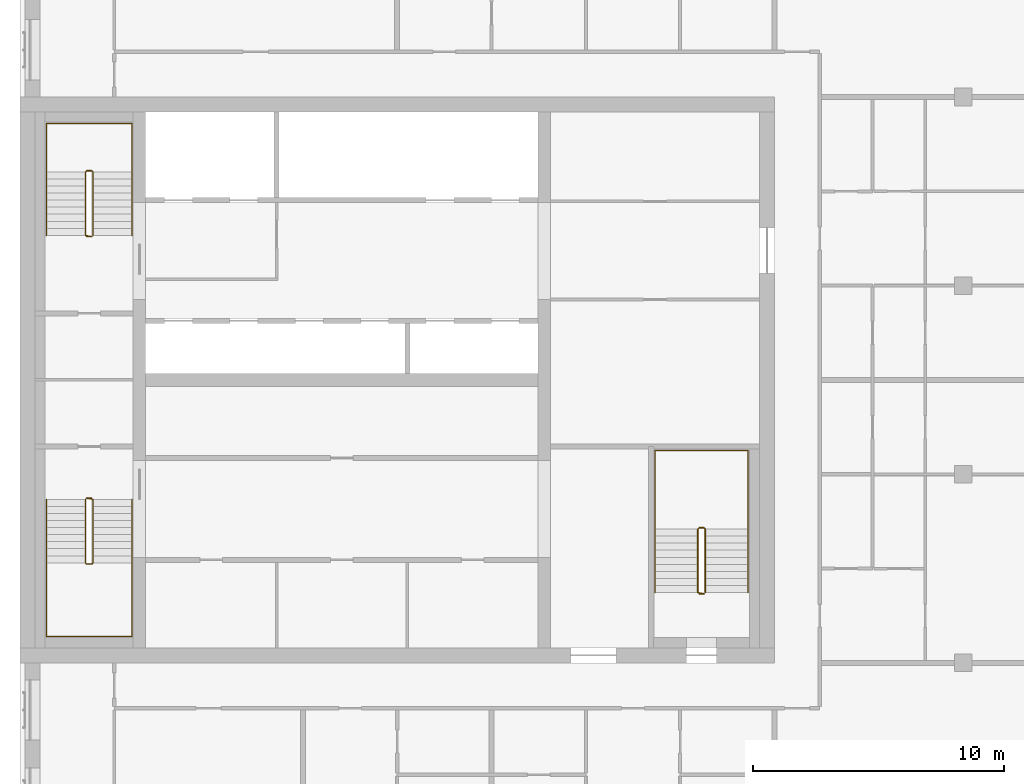
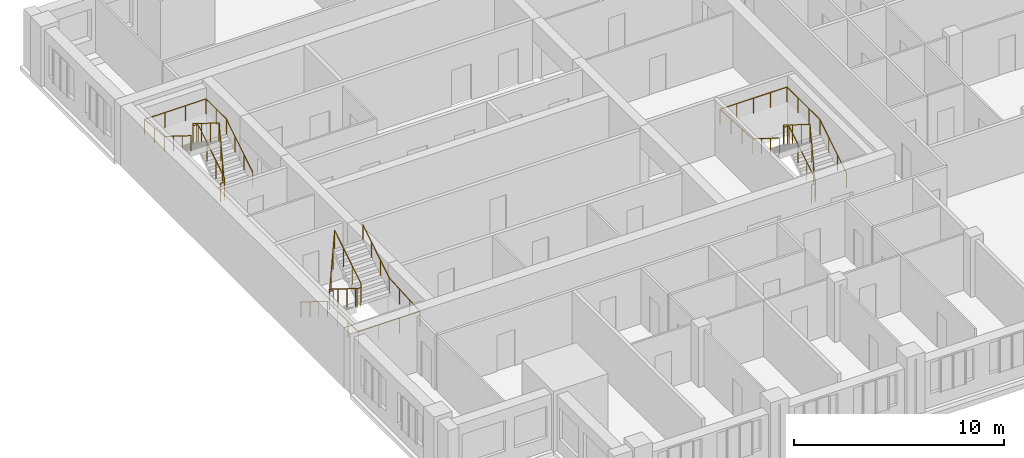
# One storey, part 10 of 10: 6 railings.
"""IFC4 building model written with IfcOpenShell, lengths in metres."""

from ifc_helpers import new_model, si_unit, direction, frame, origin, origin_2d, place, context, subcontext, project, spatial, circle, extrude, material, type_object, element, save


model = new_model("IFC4")

# Units and contexts
model_context = context("Model", 3, precision=1e-05, world=origin(), true_north=direction((0.0, 1.0)))
body_context = subcontext(model_context, "Body", "Model", "MODEL_VIEW")
ifc_project = project(units=[si_unit("LENGTHUNIT", "METRE"), si_unit("AREAUNIT", "SQUARE_METRE"), si_unit("VOLUMEUNIT", "CUBIC_METRE"), si_unit("PLANEANGLEUNIT", "RADIAN"), si_unit("MASSUNIT", "GRAM", prefix="KILO")], contexts=[model_context])

# Site, building, storey
site_placement = place(None, origin())
site = spatial("IfcSite", under=ifc_project, at=site_placement, CompositionType="ELEMENT")
building_placement = place(site_placement, origin())
building = spatial("IfcBuilding", under=site, at=building_placement, Name="Tamorin Gate", CompositionType="ELEMENT")
storey_placement = place(building_placement, frame((0.0, 0.0, 269.699951171875)))
storey = spatial("IfcBuildingStorey", under=building, at=storey_placement, Name="L67", CompositionType="ELEMENT", Elevation=269.699951171875)

# Railings
ifc_material_1 = material(Name="Painted steel balustrade", Category="steel")
railing_type_1 = type_object("IfcRailingType", Name="Stair guard 1100", PredefinedType="GUARDRAIL", material=ifc_material_1)
railing_1_placement = place(storey_placement, frame((32.60009765625, 66.5, 0.175048828125)))
element("IfcRailing", 1, at=railing_1_placement, inside=storey, type_object=railing_type_1, Name="L67 ST1 stair guard 1", PredefinedType="GUARDRAIL", context=body_context, shape_type="SweptSolid", body=[
    extrude(circle(Radius=0.02392578125, at=origin_2d()), frame((0.0, 0.0, 1.076171875), z_axis=(0.0, -0.848007534815, 0.529984170421), x_axis=(1.0, 0.0, 0.0)), (0.0, 0.0, 1.0), 2.9716796875),
    extrude(circle(Radius=0.02392578125, at=origin_2d()), frame((0.0, -2.52001953125, 2.65087890625), z_axis=(0.705375805398, -0.708833529934, 0.0), x_axis=(0.708833529934, 0.705375805398, 0.0)), (0.0, 0.0, 1.0), 0.070556640625),
    extrude(circle(Radius=0.02392578125, at=origin_2d()), frame((0.0498046875, -2.570068359375, 2.65087890625), z_axis=(1.0, 0.0, 0.0), x_axis=(0.0, 1.0, 0.0)), (0.0, 0.0, 1.0), 0.2001953125),
    extrude(circle(Radius=0.02392578125, at=origin_2d()), frame((0.25, -2.570068359375, 2.65087890625), z_axis=(0.263862480399, 0.265155923931, 0.927399011991), x_axis=(-0.708833529934, 0.705375805398, 0.0)), (0.0, 0.0, 1.0), 0.188720703125),
    extrude(circle(Radius=0.02392578125, at=origin_2d()), frame((0.2998046875, -2.52001953125, 2.826171875), z_axis=(0.0, 0.848007534815, 0.529984170421), x_axis=(-1.0, 0.0, 0.0)), (0.0, 0.0, 1.0), 2.9716796875),
    extrude(circle(Radius=0.02392578125, at=origin_2d()), frame((0.2998046875, 0.0, 4.40087890625), z_axis=(-0.071239803756, 0.014261874775, -0.997357252587), x_axis=(-0.196300278283, -0.98054382908, 0.0)), (0.0, 0.0, 1.0), 3.50927734375),
    extrude(circle(Radius=0.02392578125, at=origin_2d()), frame((0.0498046875, 0.050048828125, 0.90087890625), z_axis=(1.0, 0.0, 0.0), x_axis=(0.0, 1.0, 0.0)), (0.0, 0.0, 1.0), 0.2001953125),
    extrude(circle(Radius=0.02099609375, at=origin_2d()), origin(), (0.0, 0.0, 1.0), 1.052001953125),
    extrude(circle(Radius=0.02099609375, at=origin_2d()), frame((0.0, -0.840087890625, 0.52490234375)), (0.0, 0.0, 1.0), 1.052001953125),
    extrude(circle(Radius=0.02099609375, at=origin_2d()), frame((0.0, -1.679931640625, 1.050048828125)), (0.0, 0.0, 1.0), 1.052001953125),
    extrude(circle(Radius=0.02099609375, at=origin_2d()), frame((0.0, -2.52001953125, 1.574951171875)), (0.0, 0.0, 1.0), 1.052001953125),
    extrude(circle(Radius=0.02099609375, at=origin_2d()), frame((0.0498046875, -2.570068359375, 1.574951171875)), (0.0, 0.0, 1.0), 1.052001953125),
    extrude(circle(Radius=0.02099609375, at=origin_2d()), frame((0.25, -2.570068359375, 1.574951171875)), (0.0, 0.0, 1.0), 1.052001953125),
    extrude(circle(Radius=0.02099609375, at=origin_2d()), frame((0.2998046875, -2.52001953125, 1.75)), (0.0, 0.0, 1.0), 1.052001953125),
    extrude(circle(Radius=0.02099609375, at=origin_2d()), frame((0.2998046875, -1.679931640625, 2.27490234375)), (0.0, 0.0, 1.0), 1.052001953125),
    extrude(circle(Radius=0.02099609375, at=origin_2d()), frame((0.2998046875, -0.840087890625, 2.800048828125)), (0.0, 0.0, 1.0), 1.052001953125),
    extrude(circle(Radius=0.02099609375, at=origin_2d()), frame((0.2998046875, 0.0, 3.324951171875)), (0.0, 0.0, 1.0), 1.052001953125),
    extrude(circle(Radius=0.02099609375, at=origin_2d()), frame((0.216552734375, 0.0166015625, 2.158203125)), (0.0, 0.0, 1.0), 1.052001953125),
    extrude(circle(Radius=0.02099609375, at=origin_2d()), frame((0.133056640625, 0.033447265625, 0.99169921875)), (0.0, 0.0, 1.0), 1.052001953125),
    extrude(circle(Radius=0.02099609375, at=origin_2d()), frame((0.0498046875, 0.050048828125, -0.175048828125)), (0.0, 0.0, 1.0), 1.052001953125),
    extrude(circle(Radius=0.02099609375, at=origin_2d()), frame((0.25, 0.050048828125, -0.175048828125)), (0.0, 0.0, 1.0), 1.052001953125),
])
railing_2_placement = place(storey_placement, frame((32.89990234375, 77.0, 0.175048828125)))
element("IfcRailing", 2, at=railing_2_placement, inside=storey, type_object=railing_type_1, Name="L67 ST2 stair guard 1", PredefinedType="GUARDRAIL", context=body_context, shape_type="SweptSolid", body=[
    extrude(circle(Radius=0.02392578125, at=origin_2d()), frame((0.0, 0.0, 1.076171875), z_axis=(0.0, 0.848007534815, 0.529984170421), x_axis=(-1.0, 0.0, 0.0)), (0.0, 0.0, 1.0), 2.9716796875),
    extrude(circle(Radius=0.02392578125, at=origin_2d()), frame((0.0, 2.52001953125, 2.65087890625), z_axis=(-0.705375805398, 0.708833529934, 0.0), x_axis=(-0.708833529934, -0.705375805398, 0.0)), (0.0, 0.0, 1.0), 0.070556640625),
    extrude(circle(Radius=0.02392578125, at=origin_2d()), frame((-0.0498046875, 2.570068359375, 2.65087890625), z_axis=(-1.0, 0.0, 0.0), x_axis=(0.0, -1.0, 0.0)), (0.0, 0.0, 1.0), 0.2001953125),
    extrude(circle(Radius=0.02392578125, at=origin_2d()), frame((-0.25, 2.570068359375, 2.65087890625), z_axis=(-0.263862480399, -0.265155923931, 0.927399011991), x_axis=(0.708833529934, -0.705375805398, 0.0)), (0.0, 0.0, 1.0), 0.188720703125),
    extrude(circle(Radius=0.02392578125, at=origin_2d()), frame((-0.2998046875, 2.52001953125, 2.826171875), z_axis=(0.0, -0.848007534815, 0.529984170421), x_axis=(1.0, 0.0, 0.0)), (0.0, 0.0, 1.0), 2.9716796875),
    extrude(circle(Radius=0.02392578125, at=origin_2d()), frame((-0.2998046875, 0.0, 4.40087890625), z_axis=(0.071239803756, -0.014261874775, -0.997357252587), x_axis=(0.196300278283, 0.98054382908, 0.0)), (0.0, 0.0, 1.0), 3.50927734375),
    extrude(circle(Radius=0.02392578125, at=origin_2d()), frame((-0.0498046875, -0.050048828125, 0.90087890625), z_axis=(-1.0, 0.0, 0.0), x_axis=(0.0, -1.0, 0.0)), (0.0, 0.0, 1.0), 0.2001953125),
    extrude(circle(Radius=0.02099609375, at=origin_2d()), origin(), (0.0, 0.0, 1.0), 1.052001953125),
    extrude(circle(Radius=0.02099609375, at=origin_2d()), frame((0.0, 0.840087890625, 0.52490234375)), (0.0, 0.0, 1.0), 1.052001953125),
    extrude(circle(Radius=0.02099609375, at=origin_2d()), frame((0.0, 1.679931640625, 1.050048828125)), (0.0, 0.0, 1.0), 1.052001953125),
    extrude(circle(Radius=0.02099609375, at=origin_2d()), frame((0.0, 2.52001953125, 1.574951171875)), (0.0, 0.0, 1.0), 1.052001953125),
    extrude(circle(Radius=0.02099609375, at=origin_2d()), frame((-0.0498046875, 2.570068359375, 1.574951171875)), (0.0, 0.0, 1.0), 1.052001953125),
    extrude(circle(Radius=0.02099609375, at=origin_2d()), frame((-0.25, 2.570068359375, 1.574951171875)), (0.0, 0.0, 1.0), 1.052001953125),
    extrude(circle(Radius=0.02099609375, at=origin_2d()), frame((-0.2998046875, 2.52001953125, 1.75)), (0.0, 0.0, 1.0), 1.052001953125),
    extrude(circle(Radius=0.02099609375, at=origin_2d()), frame((-0.2998046875, 1.679931640625, 2.27490234375)), (0.0, 0.0, 1.0), 1.052001953125),
    extrude(circle(Radius=0.02099609375, at=origin_2d()), frame((-0.2998046875, 0.840087890625, 2.800048828125)), (0.0, 0.0, 1.0), 1.052001953125),
    extrude(circle(Radius=0.02099609375, at=origin_2d()), frame((-0.2998046875, 0.0, 3.324951171875)), (0.0, 0.0, 1.0), 1.052001953125),
    extrude(circle(Radius=0.02099609375, at=origin_2d()), frame((-0.216552734375, -0.0166015625, 2.158203125)), (0.0, 0.0, 1.0), 1.052001953125),
    extrude(circle(Radius=0.02099609375, at=origin_2d()), frame((-0.133056640625, -0.033447265625, 0.99169921875)), (0.0, 0.0, 1.0), 1.052001953125),
    extrude(circle(Radius=0.02099609375, at=origin_2d()), frame((-0.0498046875, -0.050048828125, -0.175048828125)), (0.0, 0.0, 1.0), 1.052001953125),
    extrude(circle(Radius=0.02099609375, at=origin_2d()), frame((-0.25, -0.050048828125, -0.175048828125)), (0.0, 0.0, 1.0), 1.052001953125),
])
railing_3_placement = place(storey_placement, frame((57.25, 62.800048828125, 0.175048828125)))
element("IfcRailing", 3, at=railing_3_placement, inside=storey, type_object=railing_type_1, Name="L67 ST3 stair guard 1", PredefinedType="GUARDRAIL", context=body_context, shape_type="SweptSolid", body=[
    extrude(circle(Radius=0.02392578125, at=origin_2d()), frame((0.0, 0.0, 1.076171875), z_axis=(0.0, 0.848007534815, 0.529984170421), x_axis=(-1.0, 0.0, 0.0)), (0.0, 0.0, 1.0), 2.9716796875),
    extrude(circle(Radius=0.02392578125, at=origin_2d()), frame((0.0, 2.52001953125, 2.65087890625), z_axis=(-0.707106781187, 0.707106781187, 0.0), x_axis=(-0.707106781187, -0.707106781187, 0.0)), (0.0, 0.0, 1.0), 0.07080078125),
    extrude(circle(Radius=0.02392578125, at=origin_2d()), frame((-0.050048828125, 2.570068359375, 2.65087890625), z_axis=(-1.0, 0.0, 0.0), x_axis=(0.0, -1.0, 0.0)), (0.0, 0.0, 1.0), 0.199951171875),
    extrude(circle(Radius=0.02392578125, at=origin_2d()), frame((-0.25, 2.570068359375, 2.65087890625), z_axis=(-0.265065253269, -0.265065253269, 0.927081885822), x_axis=(0.707106781187, -0.707106781187, 0.0)), (0.0, 0.0, 1.0), 0.188720703125),
    extrude(circle(Radius=0.02392578125, at=origin_2d()), frame((-0.300048828125, 2.52001953125, 2.826171875), z_axis=(0.0, -0.848007534815, 0.529984170421), x_axis=(1.0, 0.0, 0.0)), (0.0, 0.0, 1.0), 2.9716796875),
    extrude(circle(Radius=0.02392578125, at=origin_2d()), frame((-0.300048828125, 0.0, 4.40087890625), z_axis=(0.071239803756, -0.014261874775, -0.997357252587), x_axis=(0.196300278283, 0.98054382908, 0.0)), (0.0, 0.0, 1.0), 3.50927734375),
    extrude(circle(Radius=0.02392578125, at=origin_2d()), frame((-0.050048828125, -0.050048828125, 0.90087890625), z_axis=(-1.0, 0.0, 0.0), x_axis=(0.0, -1.0, 0.0)), (0.0, 0.0, 1.0), 0.199951171875),
    extrude(circle(Radius=0.02099609375, at=origin_2d()), origin(), (0.0, 0.0, 1.0), 1.052001953125),
    extrude(circle(Radius=0.02099609375, at=origin_2d()), frame((0.0, 0.840087890625, 0.52490234375)), (0.0, 0.0, 1.0), 1.052001953125),
    extrude(circle(Radius=0.02099609375, at=origin_2d()), frame((0.0, 1.679931640625, 1.050048828125)), (0.0, 0.0, 1.0), 1.052001953125),
    extrude(circle(Radius=0.02099609375, at=origin_2d()), frame((0.0, 2.52001953125, 1.574951171875)), (0.0, 0.0, 1.0), 1.052001953125),
    extrude(circle(Radius=0.02099609375, at=origin_2d()), frame((-0.050048828125, 2.570068359375, 1.574951171875)), (0.0, 0.0, 1.0), 1.052001953125),
    extrude(circle(Radius=0.02099609375, at=origin_2d()), frame((-0.25, 2.570068359375, 1.574951171875)), (0.0, 0.0, 1.0), 1.052001953125),
    extrude(circle(Radius=0.02099609375, at=origin_2d()), frame((-0.300048828125, 2.52001953125, 1.75)), (0.0, 0.0, 1.0), 1.052001953125),
    extrude(circle(Radius=0.02099609375, at=origin_2d()), frame((-0.300048828125, 1.679931640625, 2.27490234375)), (0.0, 0.0, 1.0), 1.052001953125),
    extrude(circle(Radius=0.02099609375, at=origin_2d()), frame((-0.300048828125, 0.840087890625, 2.800048828125)), (0.0, 0.0, 1.0), 1.052001953125),
    extrude(circle(Radius=0.02099609375, at=origin_2d()), frame((-0.300048828125, 0.0, 3.324951171875)), (0.0, 0.0, 1.0), 1.052001953125),
    extrude(circle(Radius=0.02099609375, at=origin_2d()), frame((-0.216796875, -0.0166015625, 2.158203125)), (0.0, 0.0, 1.0), 1.052001953125),
    extrude(circle(Radius=0.02099609375, at=origin_2d()), frame((-0.13330078125, -0.033447265625, 0.99169921875)), (0.0, 0.0, 1.0), 1.052001953125),
    extrude(circle(Radius=0.02099609375, at=origin_2d()), frame((-0.050048828125, -0.050048828125, -0.175048828125)), (0.0, 0.0, 1.0), 1.052001953125),
    extrude(circle(Radius=0.02099609375, at=origin_2d()), frame((-0.25, -0.050048828125, -0.175048828125)), (0.0, 0.0, 1.0), 1.052001953125),
])
ifc_material_2 = material(Name="Painted steel handrail", Category="steel")
railing_type_2 = type_object("IfcRailingType", Name="Stair handrail 900", PredefinedType="HANDRAIL", material=ifc_material_2)
railing_4_placement = place(storey_placement, frame((31.050048828125, 66.5, 0.175048828125)))
element("IfcRailing", 4, at=railing_4_placement, inside=storey, type_object=railing_type_2, Name="L67 ST1 stair handrail 1", PredefinedType="HANDRAIL", context=body_context, shape_type="SweptSolid", body=[
    extrude(circle(Radius=0.02392578125, at=origin_2d()), frame((0.0, 0.0, 0.8759765625), z_axis=(0.0, -0.848007534815, 0.529984170421), x_axis=(1.0, 0.0, 0.0)), (0.0, 0.0, 1.0), 2.9716796875),
    extrude(circle(Radius=0.02392578125, at=origin_2d()), frame((0.0, -2.52001953125, 2.45068359375), z_axis=(0.0, -1.0, 0.0), x_axis=(1.0, 0.0, 0.0)), (0.0, 0.0, 1.0), 2.929931640625),
    extrude(circle(Radius=0.02392578125, at=origin_2d()), frame((0.0, -5.449951171875, 2.45068359375), z_axis=(1.0, 0.0, 0.0), x_axis=(0.0, 1.0, 0.0)), (0.0, 0.0, 1.0), 3.39990234375),
    extrude(circle(Radius=0.02392578125, at=origin_2d()), frame((3.39990234375, -5.449951171875, 2.45068359375), z_axis=(0.0, 0.998220029962, 0.0596386769), x_axis=(-1.0, 0.0, 0.0)), (0.0, 0.0, 1.0), 2.93505859375),
    extrude(circle(Radius=0.02392578125, at=origin_2d()), frame((3.39990234375, -2.52001953125, 2.6259765625), z_axis=(0.0, 0.848007534815, 0.529984170421), x_axis=(-1.0, 0.0, 0.0)), (0.0, 0.0, 1.0), 2.9716796875),
    extrude(circle(Radius=0.02099609375, at=origin_2d()), origin(), (0.0, 0.0, 1.0), 0.851806640625),
    extrude(circle(Radius=0.02099609375, at=origin_2d()), frame((0.0, -0.840087890625, 0.52490234375)), (0.0, 0.0, 1.0), 0.851806640625),
    extrude(circle(Radius=0.02099609375, at=origin_2d()), frame((0.0, -1.679931640625, 1.050048828125)), (0.0, 0.0, 1.0), 0.851806640625),
    extrude(circle(Radius=0.02099609375, at=origin_2d()), frame((0.0, -2.52001953125, 1.574951171875)), (0.0, 0.0, 1.0), 0.851806640625),
    extrude(circle(Radius=0.02099609375, at=origin_2d()), frame((0.0, -3.49658203125, 1.574951171875)), (0.0, 0.0, 1.0), 0.851806640625),
    extrude(circle(Radius=0.02099609375, at=origin_2d()), frame((0.0, -4.473388671875, 1.574951171875)), (0.0, 0.0, 1.0), 0.851806640625),
    extrude(circle(Radius=0.02099609375, at=origin_2d()), frame((0.0, -5.449951171875, 1.574951171875)), (0.0, 0.0, 1.0), 0.851806640625),
    extrude(circle(Radius=0.02099609375, at=origin_2d()), frame((1.13330078125, -5.449951171875, 1.574951171875)), (0.0, 0.0, 1.0), 0.851806640625),
    extrude(circle(Radius=0.02099609375, at=origin_2d()), frame((2.2666015625, -5.449951171875, 1.574951171875)), (0.0, 0.0, 1.0), 0.851806640625),
    extrude(circle(Radius=0.02099609375, at=origin_2d()), frame((3.39990234375, -5.449951171875, 1.574951171875)), (0.0, 0.0, 1.0), 0.851806640625),
    extrude(circle(Radius=0.02099609375, at=origin_2d()), frame((3.39990234375, -4.473388671875, 1.63330078125)), (0.0, 0.0, 1.0), 0.851806640625),
    extrude(circle(Radius=0.02099609375, at=origin_2d()), frame((3.39990234375, -3.49658203125, 1.691650390625)), (0.0, 0.0, 1.0), 0.851806640625),
    extrude(circle(Radius=0.02099609375, at=origin_2d()), frame((3.39990234375, -2.52001953125, 1.75)), (0.0, 0.0, 1.0), 0.851806640625),
    extrude(circle(Radius=0.02099609375, at=origin_2d()), frame((3.39990234375, -1.679931640625, 2.27490234375)), (0.0, 0.0, 1.0), 0.851806640625),
    extrude(circle(Radius=0.02099609375, at=origin_2d()), frame((3.39990234375, -0.840087890625, 2.800048828125)), (0.0, 0.0, 1.0), 0.851806640625),
    extrude(circle(Radius=0.02099609375, at=origin_2d()), frame((3.39990234375, 0.0, 3.324951171875)), (0.0, 0.0, 1.0), 0.851806640625),
])
railing_5_placement = place(storey_placement, frame((34.449951171875, 77.0, 0.175048828125)))
element("IfcRailing", 5, at=railing_5_placement, inside=storey, type_object=railing_type_2, Name="L67 ST2 stair handrail 1", PredefinedType="HANDRAIL", context=body_context, shape_type="SweptSolid", body=[
    extrude(circle(Radius=0.02392578125, at=origin_2d()), frame((0.0, 0.0, 0.8759765625), z_axis=(0.0, 0.848007534815, 0.529984170421), x_axis=(-1.0, 0.0, 0.0)), (0.0, 0.0, 1.0), 2.9716796875),
    extrude(circle(Radius=0.02392578125, at=origin_2d()), frame((0.0, 2.52001953125, 2.45068359375), z_axis=(0.0, 1.0, 0.0), x_axis=(-1.0, 0.0, 0.0)), (0.0, 0.0, 1.0), 1.929931640625),
    extrude(circle(Radius=0.02392578125, at=origin_2d()), frame((0.0, 4.449951171875, 2.45068359375), z_axis=(-1.0, 0.0, 0.0), x_axis=(0.0, -1.0, 0.0)), (0.0, 0.0, 1.0), 3.39990234375),
    extrude(circle(Radius=0.02392578125, at=origin_2d()), frame((-3.39990234375, 4.449951171875, 2.45068359375), z_axis=(0.0, -0.995911773435, 0.090331276604), x_axis=(1.0, 0.0, 0.0)), (0.0, 0.0, 1.0), 1.937744140625),
    extrude(circle(Radius=0.02392578125, at=origin_2d()), frame((-3.39990234375, 2.52001953125, 2.6259765625), z_axis=(0.0, -0.848007534815, 0.529984170421), x_axis=(1.0, 0.0, 0.0)), (0.0, 0.0, 1.0), 2.9716796875),
    extrude(circle(Radius=0.02099609375, at=origin_2d()), origin(), (0.0, 0.0, 1.0), 0.851806640625),
    extrude(circle(Radius=0.02099609375, at=origin_2d()), frame((0.0, 0.840087890625, 0.52490234375)), (0.0, 0.0, 1.0), 0.851806640625),
    extrude(circle(Radius=0.02099609375, at=origin_2d()), frame((0.0, 1.679931640625, 1.050048828125)), (0.0, 0.0, 1.0), 0.851806640625),
    extrude(circle(Radius=0.02099609375, at=origin_2d()), frame((0.0, 2.52001953125, 1.574951171875)), (0.0, 0.0, 1.0), 0.851806640625),
    extrude(circle(Radius=0.02099609375, at=origin_2d()), frame((0.0, 3.48486328125, 1.574951171875)), (0.0, 0.0, 1.0), 0.851806640625),
    extrude(circle(Radius=0.02099609375, at=origin_2d()), frame((0.0, 4.449951171875, 1.574951171875)), (0.0, 0.0, 1.0), 0.851806640625),
    extrude(circle(Radius=0.02099609375, at=origin_2d()), frame((-1.13330078125, 4.449951171875, 1.574951171875)), (0.0, 0.0, 1.0), 0.851806640625),
    extrude(circle(Radius=0.02099609375, at=origin_2d()), frame((-2.2666015625, 4.449951171875, 1.574951171875)), (0.0, 0.0, 1.0), 0.851806640625),
    extrude(circle(Radius=0.02099609375, at=origin_2d()), frame((-3.39990234375, 4.449951171875, 1.574951171875)), (0.0, 0.0, 1.0), 0.851806640625),
    extrude(circle(Radius=0.02099609375, at=origin_2d()), frame((-3.39990234375, 3.48486328125, 1.66259765625)), (0.0, 0.0, 1.0), 0.851806640625),
    extrude(circle(Radius=0.02099609375, at=origin_2d()), frame((-3.39990234375, 2.52001953125, 1.75)), (0.0, 0.0, 1.0), 0.851806640625),
    extrude(circle(Radius=0.02099609375, at=origin_2d()), frame((-3.39990234375, 1.679931640625, 2.27490234375)), (0.0, 0.0, 1.0), 0.851806640625),
    extrude(circle(Radius=0.02099609375, at=origin_2d()), frame((-3.39990234375, 0.840087890625, 2.800048828125)), (0.0, 0.0, 1.0), 0.851806640625),
    extrude(circle(Radius=0.02099609375, at=origin_2d()), frame((-3.39990234375, 0.0, 3.324951171875)), (0.0, 0.0, 1.0), 0.851806640625),
])
railing_6_placement = place(storey_placement, frame((58.949951171875, 62.800048828125, 0.175048828125)))
element("IfcRailing", 6, at=railing_6_placement, inside=storey, type_object=railing_type_2, Name="L67 ST3 stair handrail 1", PredefinedType="HANDRAIL", context=body_context, shape_type="SweptSolid", body=[
    extrude(circle(Radius=0.02392578125, at=origin_2d()), frame((0.0, 0.0, 0.8759765625), z_axis=(0.0, 0.848007534815, 0.529984170421), x_axis=(-1.0, 0.0, 0.0)), (0.0, 0.0, 1.0), 2.9716796875),
    extrude(circle(Radius=0.02392578125, at=origin_2d()), frame((0.0, 2.52001953125, 2.45068359375), z_axis=(0.0, 1.0, 0.0), x_axis=(-1.0, 0.0, 0.0)), (0.0, 0.0, 1.0), 3.1298828125),
    extrude(circle(Radius=0.02392578125, at=origin_2d()), frame((0.0, 5.64990234375, 2.45068359375), z_axis=(-1.0, 0.0, 0.0), x_axis=(0.0, -1.0, 0.0)), (0.0, 0.0, 1.0), 3.699951171875),
    extrude(circle(Radius=0.02392578125, at=origin_2d()), frame((-3.699951171875, 5.64990234375, 2.45068359375), z_axis=(0.0, -0.998439675676, 0.055840970941), x_axis=(1.0, 0.0, 0.0)), (0.0, 0.0, 1.0), 3.134765625),
    extrude(circle(Radius=0.02392578125, at=origin_2d()), frame((-3.699951171875, 2.52001953125, 2.6259765625), z_axis=(0.0, -0.848007534815, 0.529984170421), x_axis=(1.0, 0.0, 0.0)), (0.0, 0.0, 1.0), 2.9716796875),
    extrude(circle(Radius=0.02099609375, at=origin_2d()), origin(), (0.0, 0.0, 1.0), 0.851806640625),
    extrude(circle(Radius=0.02099609375, at=origin_2d()), frame((0.0, 0.840087890625, 0.52490234375)), (0.0, 0.0, 1.0), 0.851806640625),
    extrude(circle(Radius=0.02099609375, at=origin_2d()), frame((0.0, 1.679931640625, 1.050048828125)), (0.0, 0.0, 1.0), 0.851806640625),
    extrude(circle(Radius=0.02099609375, at=origin_2d()), frame((0.0, 2.52001953125, 1.574951171875)), (0.0, 0.0, 1.0), 0.851806640625),
    extrude(circle(Radius=0.02099609375, at=origin_2d()), frame((0.0, 3.563232421875, 1.574951171875)), (0.0, 0.0, 1.0), 0.851806640625),
    extrude(circle(Radius=0.02099609375, at=origin_2d()), frame((0.0, 4.606689453125, 1.574951171875)), (0.0, 0.0, 1.0), 0.851806640625),
    extrude(circle(Radius=0.02099609375, at=origin_2d()), frame((0.0, 5.64990234375, 1.574951171875)), (0.0, 0.0, 1.0), 0.851806640625),
    extrude(circle(Radius=0.02099609375, at=origin_2d()), frame((-0.925048828125, 5.64990234375, 1.574951171875)), (0.0, 0.0, 1.0), 0.851806640625),
    extrude(circle(Radius=0.02099609375, at=origin_2d()), frame((-1.85009765625, 5.64990234375, 1.574951171875)), (0.0, 0.0, 1.0), 0.851806640625),
    extrude(circle(Radius=0.02099609375, at=origin_2d()), frame((-2.77490234375, 5.64990234375, 1.574951171875)), (0.0, 0.0, 1.0), 0.851806640625),
    extrude(circle(Radius=0.02099609375, at=origin_2d()), frame((-3.699951171875, 5.64990234375, 1.574951171875)), (0.0, 0.0, 1.0), 0.851806640625),
    extrude(circle(Radius=0.02099609375, at=origin_2d()), frame((-3.699951171875, 4.606689453125, 1.63330078125)), (0.0, 0.0, 1.0), 0.851806640625),
    extrude(circle(Radius=0.02099609375, at=origin_2d()), frame((-3.699951171875, 3.563232421875, 1.691650390625)), (0.0, 0.0, 1.0), 0.851806640625),
    extrude(circle(Radius=0.02099609375, at=origin_2d()), frame((-3.699951171875, 2.52001953125, 1.75)), (0.0, 0.0, 1.0), 0.851806640625),
    extrude(circle(Radius=0.02099609375, at=origin_2d()), frame((-3.699951171875, 1.679931640625, 2.27490234375)), (0.0, 0.0, 1.0), 0.851806640625),
    extrude(circle(Radius=0.02099609375, at=origin_2d()), frame((-3.699951171875, 0.840087890625, 2.800048828125)), (0.0, 0.0, 1.0), 0.851806640625),
    extrude(circle(Radius=0.02099609375, at=origin_2d()), frame((-3.699951171875, 0.0, 3.324951171875)), (0.0, 0.0, 1.0), 0.851806640625),
])

save(model, "model.ifc")
